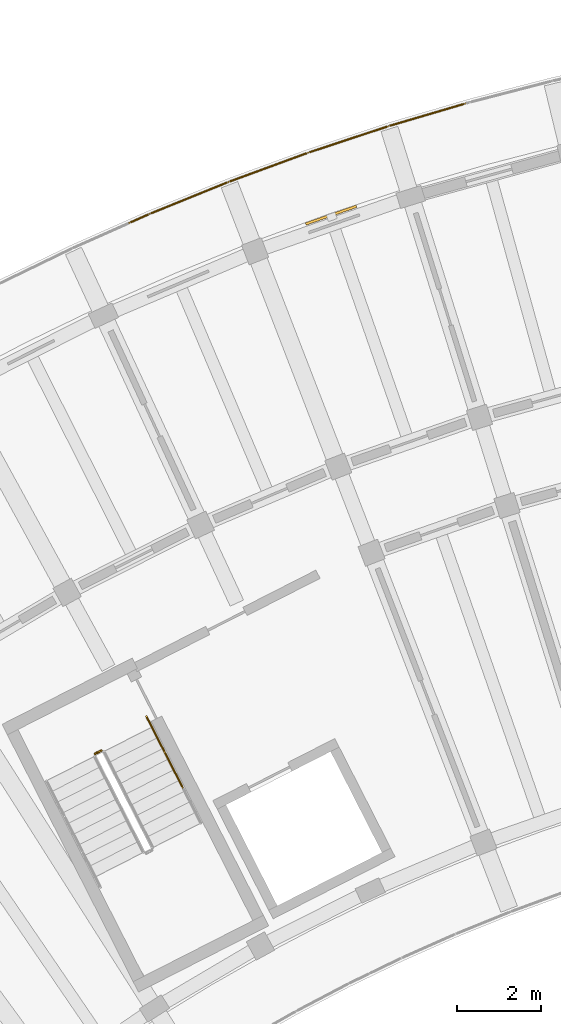
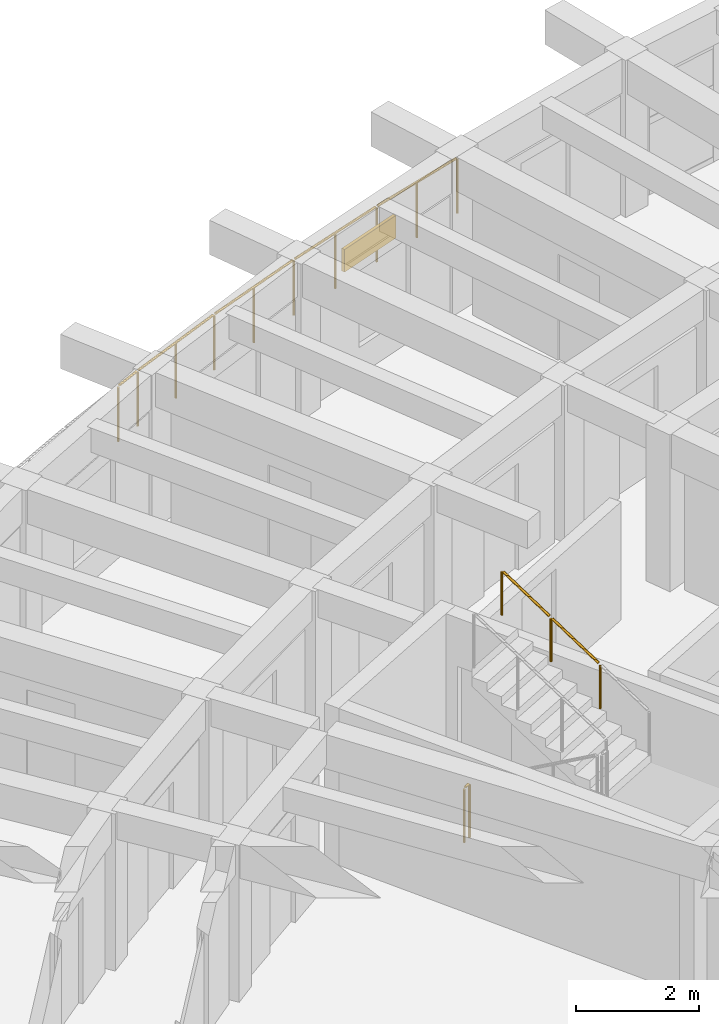
# One storey, part 74 of 83: 4 railings, 1 shading device.
"""IFC4 building model written with IfcOpenShell, lengths in metres."""

from ifc_helpers import new_model, si_unit, direction, frame, origin, origin_2d, place, context, subcontext, project, spatial, rectangle, circle, extrude, material, layer, layer_set, type_object, element, save


model = new_model("IFC4")

# Units and contexts
model_context = context("Model", 3, precision=1e-05, world=origin(), true_north=direction((0.0, 1.0)))
body_context = subcontext(model_context, "Body", "Model", "MODEL_VIEW")
ifc_project = project(units=[si_unit("LENGTHUNIT", "METRE"), si_unit("AREAUNIT", "SQUARE_METRE"), si_unit("VOLUMEUNIT", "CUBIC_METRE"), si_unit("PLANEANGLEUNIT", "RADIAN"), si_unit("MASSUNIT", "GRAM", prefix="KILO")], contexts=[model_context])

# Site, building, storey
site_placement = place(None, origin())
site = spatial("IfcSite", under=ifc_project, at=site_placement, CompositionType="ELEMENT")
building_placement = place(site_placement, origin())
building = spatial("IfcBuilding", under=site, at=building_placement, Name="Tanwirah Colonnade Gardens", CompositionType="ELEMENT")
storey_placement = place(building_placement, frame((0.0, 0.0, 25.639892578125)))
storey = spatial("IfcBuildingStorey", under=building, at=storey_placement, Name="L07", CompositionType="ELEMENT", Elevation=25.639892578125)

# Railings
ifc_material_1 = material(Name="Precast concrete C40/50", Category="concrete")
railing_type_1 = type_object("IfcRailingType", Name="BAL-EXT112", PredefinedType="BALUSTRADE", material=ifc_material_1)
railing_1_placement = place(storey_placement, frame((40.5517578125, 116.428466796875, 0.0)))
element("IfcRailing", 1, at=railing_1_placement, inside=storey, type_object=railing_type_1, Name="Block A L07 Balcony Ribbon Balustrade 17", PredefinedType="BALUSTRADE", context=body_context, shape_type="SweptSolid", body=[
    extrude(circle(Radius=0.02392578125, at=origin_2d()), frame((0.028564453125, 0.0126953125, 1.09619140625), z_axis=(0.914037447664, 0.405629811857, 0.0), x_axis=(-0.405629811857, 0.914037447664, 0.0)), (0.0, 0.0, 1.0), 0.471923828125),
    extrude(circle(Radius=0.02392578125, at=origin_2d()), frame((0.517578125, 0.228515625, 1.09619140625), z_axis=(0.926784720453, 0.375592973757, 0.0), x_axis=(-0.375592973757, 0.926784720453, 0.0)), (0.0, 0.0, 1.0), 1.958984375),
    extrude(circle(Radius=0.02392578125, at=origin_2d()), frame((2.391357421875, 0.98681640625, 1.09619140625), z_axis=(0.938723993457, 0.344669789956, 0.0), x_axis=(-0.344669789956, 0.938723993457, 0.0)), (0.0, 0.0, 1.0), 1.958984375),
    extrude(circle(Radius=0.02392578125, at=origin_2d()), frame((4.28955078125, 1.6826171875, 1.09619140625), z_axis=(0.949537316482, 0.313654084317, 0.0), x_axis=(-0.313654084317, 0.949537316482, 0.0)), (0.0, 0.0, 1.0), 1.958984375),
    extrude(circle(Radius=0.02392578125, at=origin_2d()), frame((6.209228515625, 2.315673828125, 1.09619140625), z_axis=(0.9593675466, 0.282159370801, 0.0), x_axis=(-0.282159370801, 0.9593675466, 0.0)), (0.0, 0.0, 1.0), 1.83837890625),
    extrude(circle(Radius=0.02099609375, at=origin_2d()), origin(), (0.0, 0.0, 1.0), 1.069091796875),
    extrude(circle(Radius=0.02099609375, at=origin_2d()), frame((0.488525390625, 0.216796875, 0.0)), (0.0, 0.0, 1.0), 1.069091796875),
    extrude(circle(Radius=0.02099609375, at=origin_2d()), frame((1.42529296875, 0.596435546875, 0.0)), (0.0, 0.0, 1.0), 1.069091796875),
    extrude(circle(Radius=0.02099609375, at=origin_2d()), frame((2.362060546875, 0.97607421875, 0.0)), (0.0, 0.0, 1.0), 1.069091796875),
    extrude(circle(Radius=0.02099609375, at=origin_2d()), frame((3.31103515625, 1.324462890625, 0.0)), (0.0, 0.0, 1.0), 1.069091796875),
    extrude(circle(Radius=0.02099609375, at=origin_2d()), frame((4.259765625, 1.6728515625, 0.0)), (0.0, 0.0, 1.0), 1.069091796875),
    extrude(circle(Radius=0.02099609375, at=origin_2d()), frame((5.219482421875, 1.98974609375, 0.0)), (0.0, 0.0, 1.0), 1.069091796875),
    extrude(circle(Radius=0.02099609375, at=origin_2d()), frame((6.17919921875, 2.306884765625, 0.0)), (0.0, 0.0, 1.0), 1.069091796875),
    extrude(circle(Radius=0.02099609375, at=origin_2d()), frame((7.091064453125, 2.5751953125, 0.0)), (0.0, 0.0, 1.0), 1.069091796875),
    extrude(circle(Radius=0.02099609375, at=origin_2d()), frame((8.0029296875, 2.84326171875, 0.0)), (0.0, 0.0, 1.0), 1.069091796875),
])
ifc_material_2 = material(Name="Powder-coated galvanized steel", Category="steel")
railing_type_2 = type_object("IfcRailingType", Name="GRD-ST110", PredefinedType="GUARDRAIL", material=ifc_material_2)
railing_2_placement = place(storey_placement, frame((39.74072265625, 103.78271484375, 0.0)))
element("IfcRailing", 2, at=railing_2_placement, inside=storey, type_object=railing_type_2, Name="L07 ST-A1 stair guard 4", PredefinedType="GUARDRAIL", context=body_context, shape_type="SweptSolid", body=[
    extrude(circle(Radius=0.02392578125, at=origin_2d()), frame((0.02783203125, 0.01416015625, 1.076171875), z_axis=(0.89073666619, 0.4545197372, 0.0), x_axis=(-0.4545197372, 0.89073666619, 0.0)), (0.0, 0.0, 1.0), 0.09765625),
    extrude(circle(Radius=0.02099609375, at=origin_2d()), origin(), (0.0, 0.0, 1.0), 1.049072265625),
    extrude(circle(Radius=0.02099609375, at=origin_2d()), frame((0.142578125, 0.07275390625, 0.0)), (0.0, 0.0, 1.0), 1.049072265625),
])
ifc_material_3 = material(Name="Brushed bronze stainless steel", Category="steel")
railing_type_3 = type_object("IfcRailingType", Name="HR-ST090", PredefinedType="HANDRAIL", material=ifc_material_3)
railing_3_placement = place(storey_placement, frame((41.82421875, 102.9755859375, 2.4140625)))
element("IfcRailing", 3, at=railing_3_placement, inside=storey, type_object=railing_type_3, Name="L07 ST-A1 stair handrail 5", PredefinedType="HANDRAIL", context=body_context, shape_type="SweptSolid", body=[
    extrude(circle(Radius=0.02392578125, at=origin_2d()), frame((-0.01220703125, 0.02392578125, 0.891845703125), z_axis=(-0.390007559961, 0.765447774728, 0.511843537946), x_axis=(-0.891010084603, -0.453983511965, 0.0)), (0.0, 0.0, 1.0), 1.043701171875),
    extrude(circle(Radius=0.02099609375, at=origin_2d()), origin(), (0.0, 0.0, 1.0), 0.848876953125),
    extrude(circle(Radius=0.02099609375, at=origin_2d()), frame((-0.431396484375, 0.8466796875, 0.566162109375)), (0.0, 0.0, 1.0), 0.848876953125),
])
railing_4_placement = place(storey_placement, frame((41.392822265625, 103.822265625, 2.980224609375)))
element("IfcRailing", 4, at=railing_4_placement, inside=storey, type_object=railing_type_3, Name="L07 ST-A1 stair handrail 6", PredefinedType="HANDRAIL", context=body_context, shape_type="SweptSolid", body=[
    extrude(circle(Radius=0.02392578125, at=origin_2d()), frame((-0.01220703125, 0.02392578125, 0.891845703125), z_axis=(-0.38993033558, 0.765508761867, 0.511811165275), x_axis=(-0.891061070925, -0.453883429839, 0.0)), (0.0, 0.0, 1.0), 1.043212890625),
    extrude(circle(Radius=0.02099609375, at=origin_2d()), origin(), (0.0, 0.0, 1.0), 0.848876953125),
    extrude(circle(Radius=0.02099609375, at=origin_2d()), frame((-0.43115234375, 0.846435546875, 0.56591796875)), (0.0, 0.0, 1.0), 0.848876953125),
])

# Shading device
ifc_material_4 = material(Name="Perforated architectural bronze aluminium", Category="aluminium")
ifc_layer = layer(ifc_material_4, 0.050048828125)
ifc_layer_set = layer_set([ifc_layer], Name="Perforated architectural bronze aluminium")
shading_device_type = type_object("IfcShadingDeviceType", Name="SHD-OVH1", PredefinedType="SHUTTER", material=ifc_layer_set)
shading_device_placement = place(storey_placement, frame((45.361572265625, 116.61474609375, 1.9052734375), z_axis=(0.0, 0.0, 1.0), x_axis=(-0.944248758459, -0.329232869181, 0.0)))
element("IfcShadingDevice", 5, at=shading_device_placement, inside=storey, type_object=shading_device_type, Name="Solar shading louver hood A-L07-03", PredefinedType="SHUTTER", context=body_context, shape_type="SweptSolid", body=[
    extrude(rectangle(XDim=1.280029296875, YDim=0.06005859375, at=origin_2d()), origin(), (0.0, 0.0, 1.0), 0.449951171875),
])

save(model, "model.ifc")
